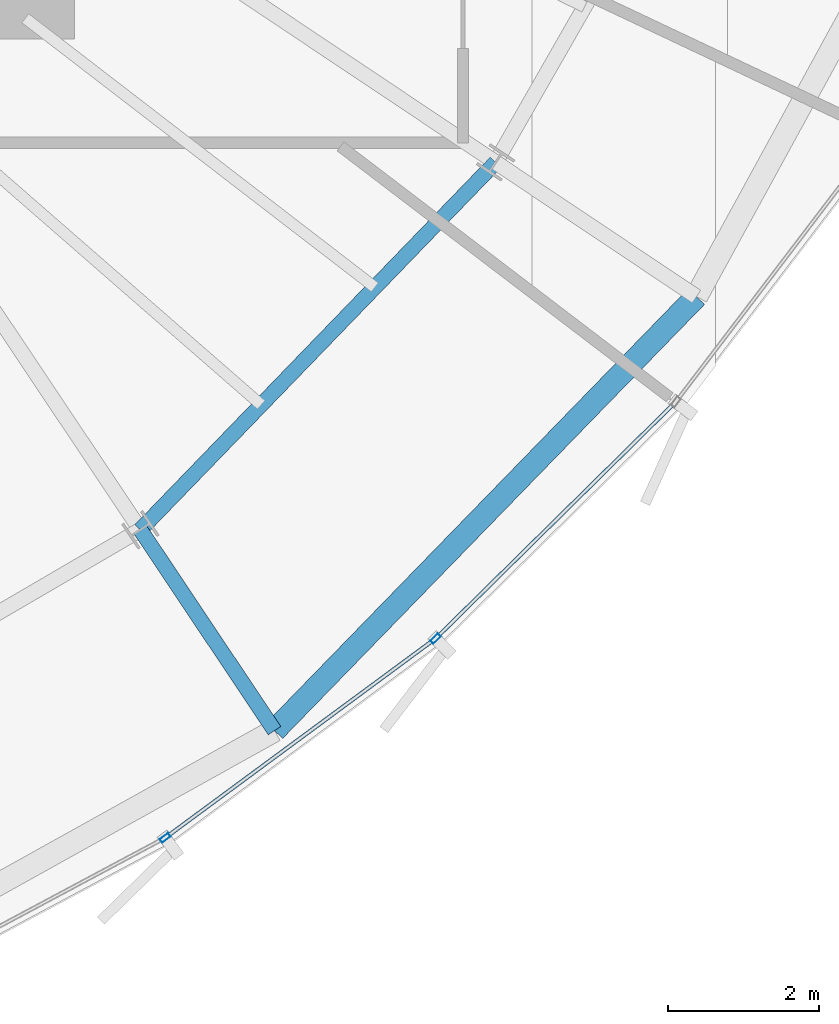
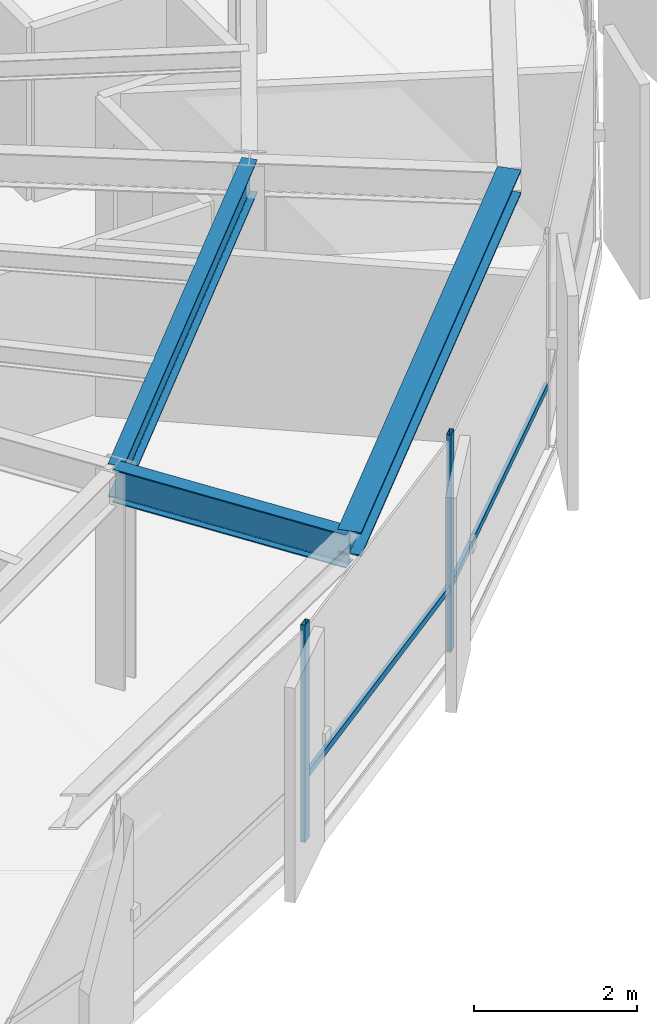
# One storey, part 14 of 36: 4 members, 3 beams, 1 element without a shape of its own.
"""IFC4 building model written with IfcOpenShell, lengths in metres."""

from ifc_helpers import new_model, si_unit, direction, frame, origin, origin_2d, place, context, subcontext, project, spatial, hollow_rectangle, i_section, extrude, source, transform, mapped, material, layer, layer_set, material_profile, profile_set, type_object, element, aggregate, save


model = new_model("IFC4")

# Units and contexts
model_context = context("Model", 3, precision=1e-05, world=origin(), true_north=direction((0.0, 1.0)))
body_context = subcontext(model_context, "Body", "Model", "MODEL_VIEW")
ifc_project = project(units=[si_unit("LENGTHUNIT", "METRE"), si_unit("AREAUNIT", "SQUARE_METRE"), si_unit("VOLUMEUNIT", "CUBIC_METRE"), si_unit("PLANEANGLEUNIT", "RADIAN"), si_unit("MASSUNIT", "GRAM", prefix="KILO"), si_unit("THERMODYNAMICTEMPERATUREUNIT", "KELVIN")], contexts=[model_context])

# Site, building, storey
site_placement = place(None, origin())
site = spatial("IfcSite", under=ifc_project, at=site_placement, CompositionType="ELEMENT")
building_placement = place(site_placement, origin())
building = spatial("IfcBuilding", under=site, at=building_placement, Name="Kethvar Cultural Tower", CompositionType="ELEMENT")
storey_placement = place(building_placement, frame((0.0, 0.0, 197.39990234375)))
storey = spatial("IfcBuildingStorey", under=building, at=storey_placement, Name="L51", CompositionType="ELEMENT", Elevation=197.39990234375)

# Beams
ifc_material_1 = material(Name="Steel S355J2", Category="steel")
ifc_material_profile_1 = material_profile(ifc_material_1, i_section(OverallWidth=0.199951171875, OverallDepth=0.5, WebThickness=0.01025390625, FlangeThickness=0.01611328125, FilletRadius=0.02099609375, at=origin_2d()), Name="Steel S355J2 — IPE500")
ifc_profile_set_1 = profile_set([ifc_material_profile_1], Name="Steel S355J2 — IPE500")
beam_type_1 = type_object("IfcBeamType", Name="BM-IPE500", PredefinedType="BEAM", material=ifc_profile_set_1)
shared_shape_1 = source(origin(), body_context, "Body", "SweptSolid", [
    extrude(i_section(OverallWidth=0.199951171875, OverallDepth=0.5, WebThickness=0.01025390625, FlangeThickness=0.01611328125, FilletRadius=0.02099609375, at=origin_2d()), origin(), (0.0, 0.0, 1.0), 3.199951171875),
])
beam_1_placement = place(storey_placement, frame((56.474609375, 13.32080078125, 3.008056640625), z_axis=(0.555580212716, -0.831462943996, 0.0), x_axis=(0.831462943996, 0.555580212716, 0.0)))
element("IfcBeam", 1, at=beam_1_placement, inside=storey, type_object=beam_type_1, Name="L51 Perimeter Cantilever Beam RC-14", PredefinedType="BEAM", context=body_context, shape_type="MappedRepresentation", body=[
    mapped(shared_shape_1, transform((0.0, 0.0, 0.0), scale=1.0)),
])
shared_shape_2 = source(origin(), body_context, "Body", "SweptSolid", [
    extrude(i_section(OverallWidth=0.199951171875, OverallDepth=0.5, WebThickness=0.01025390625, FlangeThickness=0.01611328125, FilletRadius=0.02099609375, at=origin_2d()), origin(), (0.0, 0.0, 1.0), 6.77294921875),
])
beam_2_placement = place(storey_placement, frame((56.474609375, 13.32080078125, 3.008056640625), z_axis=(0.695111533644, 0.718901909717, 0.0), x_axis=(-0.718901909717, 0.695111533644, 0.0)))
element("IfcBeam", 2, at=beam_2_placement, inside=storey, type_object=beam_type_1, Name="L51 Column Ring Tie Beam CR-14", PredefinedType="BEAM", context=body_context, shape_type="MappedRepresentation", body=[
    mapped(shared_shape_2, transform((0.0, 0.0, 0.0), scale=1.0)),
])
ifc_material_profile_2 = material_profile(ifc_material_1, i_section(OverallWidth=0.300048828125, OverallDepth=0.360107421875, WebThickness=0.012451171875, FlangeThickness=0.0224609375, FilletRadius=0.027099609375, at=origin_2d()), Name="Steel S355J2 — HEB360")
ifc_profile_set_2 = profile_set([ifc_material_profile_2], Name="Steel S355J2 — HEB360")
beam_type_2 = type_object("IfcBeamType", Name="BM-SP360", PredefinedType="SPANDREL", material=ifc_profile_set_2)
shared_shape_3 = source(origin(), body_context, "Body", "SweptSolid", [
    extrude(i_section(OverallWidth=0.300048828125, OverallDepth=0.360107421875, WebThickness=0.012451171875, FlangeThickness=0.0224609375, FilletRadius=0.027099609375, at=origin_2d()), origin(), (0.0, 0.0, 1.0), 8.021240234375),
])
beam_3_placement = place(storey_placement, frame((58.25244140625, 10.66015625, 3.078125), z_axis=(0.696991461782, 0.71707942531, 0.0), x_axis=(-0.71707942531, 0.696991461782, 0.0)))
element("IfcBeam", 3, at=beam_3_placement, inside=storey, type_object=beam_type_2, Name="L51 Perimeter Spandrel Beam SP-14", PredefinedType="SPANDREL", context=body_context, shape_type="MappedRepresentation", body=[
    mapped(shared_shape_3, transform((0.0, 0.0, 0.0), scale=1.0)),
])

# Curtain wall, members
ifc_material_2 = material(Name="Aluminium 6063-T6", Category="aluminium")
ifc_layer = layer(ifc_material_2, 0.179931640625, Name="Aluminium 6063-T6", Category="aluminium")
ifc_layer_set = layer_set([ifc_layer], Name="Aluminium 6063-T6 (180 mm)")
curtain_wall_type = type_object("IfcCurtainWallType", Name="CW-SYS-04-Z34", PredefinedType="NOTDEFINED", material=ifc_layer_set)
curtain_wall_placement = place(storey_placement, origin())
curtain_wall = element("IfcCurtainWall", 4, at=curtain_wall_placement, inside=storey, type_object=curtain_wall_type, Name="L51 Curtain Wall Run 05", PredefinedType="NOTDEFINED")
ifc_material_profile_3 = material_profile(ifc_material_2, hollow_rectangle(XDim=0.06005859375, YDim=0.139892578125, WallThickness=0.0048828125, at=origin_2d()), Name="Aluminium 6063-T6 — RHS140x60x5")
ifc_profile_set_3 = profile_set([ifc_material_profile_3], Name="Aluminium 6063-T6 — RHS140x60x5")
member_type_1 = type_object("IfcMemberType", Name="CW-SYS-04-Z34-MUL", PredefinedType="MULLION", material=ifc_profile_set_3)
shared_shape_4 = source(origin(), body_context, "Body", "SweptSolid", [
    extrude(hollow_rectangle(XDim=0.06005859375, YDim=0.139892578125, WallThickness=0.0048828125, at=origin_2d()), origin(), (0.0, 0.0, 1.0), 3.260009765625),
])
member_1_placement = place(storey_placement, frame((56.802490234375, 9.23828125, 0.0), z_axis=(0.0, 0.0, 1.0), x_axis=(-0.59336269297, 0.804935223848, 0.0)))
member_1 = element("IfcMember", 5, at=member_1_placement, type_object=member_type_1, Name="CW-L51-R05 Mullion 3", PredefinedType="MULLION", context=body_context, shape_type="MappedRepresentation", body=[
    mapped(shared_shape_4, transform((0.0, 0.0, 0.0), scale=1.0)),
])
member_2_placement = place(storey_placement, frame((60.38720703125, 11.87939453125, 0.0), z_axis=(0.0, 0.0, 1.0), x_axis=(-0.702028770313, 0.712148583972, 0.0)))
member_2 = element("IfcMember", 6, at=member_2_placement, type_object=member_type_1, Name="CW-L51-R05 Mullion 4", PredefinedType="MULLION", context=body_context, shape_type="MappedRepresentation", body=[
    mapped(shared_shape_4, transform((0.0, 0.0, 0.0), scale=1.0)),
])
ifc_material_profile_4 = material_profile(ifc_material_2, hollow_rectangle(XDim=0.050048828125, YDim=0.10009765625, WallThickness=0.00390625, at=origin_2d()), Name="Aluminium 6063-T6 — RHS100x50x4")
ifc_profile_set_4 = profile_set([ifc_material_profile_4], Name="Aluminium 6063-T6 — RHS100x50x4")
member_type_2 = type_object("IfcMemberType", Name="CW-SYS-04-Z34-TRN", PredefinedType="USERDEFINED", material=ifc_profile_set_4)
shared_shape_5 = source(origin(), body_context, "Body", "SweptSolid", [
    extrude(hollow_rectangle(XDim=0.050048828125, YDim=0.10009765625, WallThickness=0.00390625, at=origin_2d()), origin(), (0.0, 0.0, 1.0), 4.39697265625),
])
member_3_placement = place(storey_placement, frame((60.41796875, 11.90966796875, 0.9501953125), z_axis=(0.712169105347, 0.702007952511, 0.0), x_axis=(-0.702007952511, 0.712169105347, 0.0)))
member_3 = element("IfcMember", 7, at=member_3_placement, type_object=member_type_2, Name="CW-L51-R05 Transom 4", ObjectType="TRANSOM", PredefinedType="USERDEFINED", context=body_context, shape_type="MappedRepresentation", body=[
    mapped(shared_shape_5, transform((0.0, 0.0, 0.0), scale=1.0)),
])
shared_shape_6 = source(origin(), body_context, "Body", "SweptSolid", [
    extrude(hollow_rectangle(XDim=0.050048828125, YDim=0.10009765625, WallThickness=0.00390625, at=origin_2d()), origin(), (0.0, 0.0, 1.0), 4.3818359375),
])
member_4_placement = place(storey_placement, frame((56.83740234375, 9.263916015625, 0.9501953125), z_axis=(0.804926981699, 0.593373873821, 0.0), x_axis=(-0.593373873821, 0.804926981699, 0.0)))
member_4 = element("IfcMember", 8, at=member_4_placement, type_object=member_type_2, Name="CW-L51-R05 Transom 3", ObjectType="TRANSOM", PredefinedType="USERDEFINED", context=body_context, shape_type="MappedRepresentation", body=[
    mapped(shared_shape_6, transform((0.0, 0.0, 0.0), scale=1.0)),
])
aggregate(curtain_wall, [member_1, member_2, member_4, member_3])

save(model, "model.ifc")
